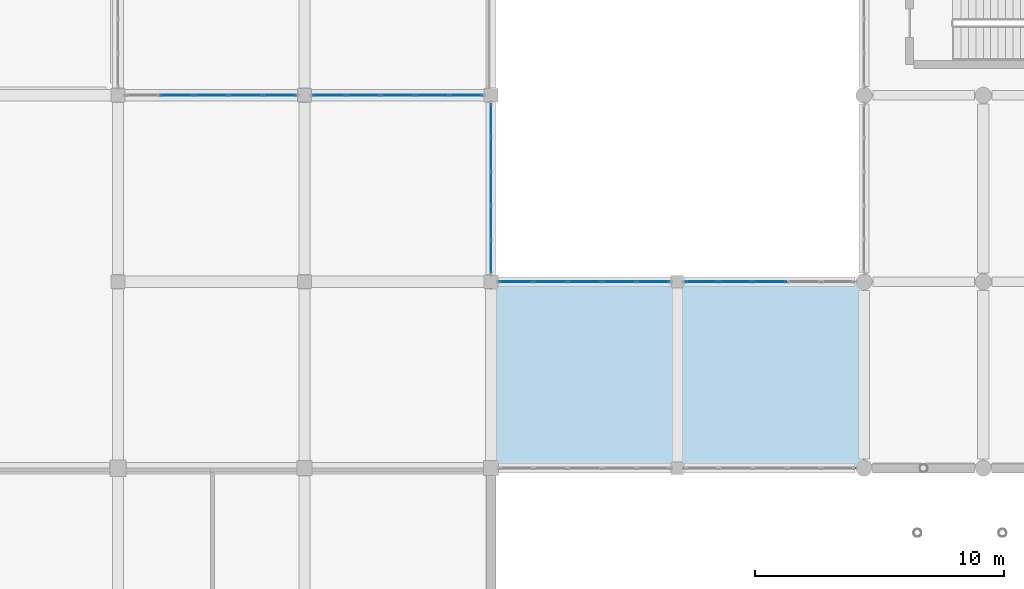
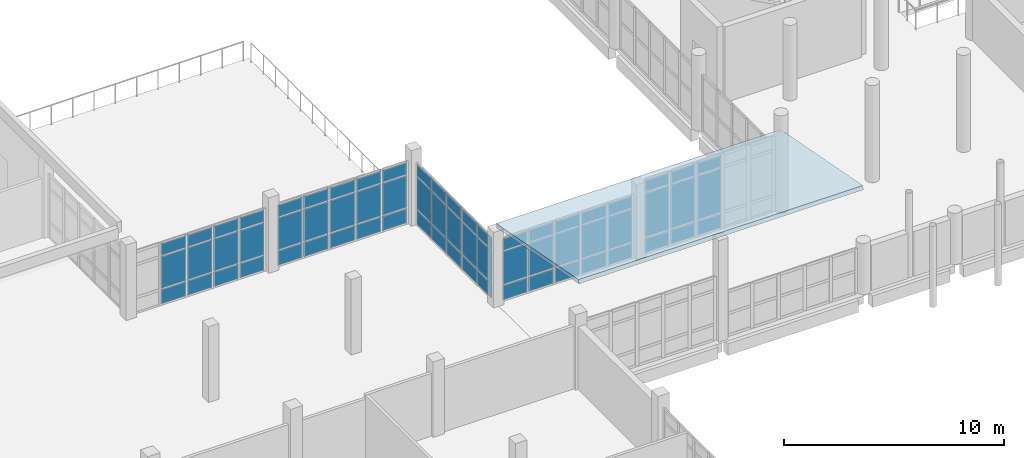
# One storey, part 125 of 164: 66 plates, 1 slab, 5 elements without a shape of their own.
"""IFC4 building model written with IfcOpenShell, lengths in metres."""

from ifc_helpers import new_model, si_unit, direction, frame, origin, origin_2d, place, context, subcontext, project, spatial, polyline, rectangle, outline, extrude, material, layer, layer_set, type_object, element, aggregate, save


model = new_model("IFC4")

# Units and contexts
model_context = context("Model", 3, precision=1e-05, world=origin(), true_north=direction((0.0, 1.0)))
body_context = subcontext(model_context, "Body", "Model", "MODEL_VIEW")
ifc_project = project(units=[si_unit("LENGTHUNIT", "METRE"), si_unit("AREAUNIT", "SQUARE_METRE"), si_unit("VOLUMEUNIT", "CUBIC_METRE"), si_unit("PLANEANGLEUNIT", "RADIAN"), si_unit("MASSUNIT", "GRAM", prefix="KILO")], contexts=[model_context])

# Site, building, storey
site_placement = place(None, origin())
site = spatial("IfcSite", under=ifc_project, at=site_placement, CompositionType="ELEMENT")
building_placement = place(site_placement, origin())
building = spatial("IfcBuilding", under=site, at=building_placement, Name="Mawjan Specialist Oncology Clinic", CompositionType="ELEMENT")
storey_placement = place(building_placement, frame((0.0, 0.0, 5.0)))
storey = spatial("IfcBuildingStorey", under=building, at=storey_placement, Name="L01", CompositionType="ELEMENT", Elevation=5.0)

# Curtain wall, plates
ifc_material_1 = material(Name="Unitised spectrally selective aluminium curtain wall", Category="aluminium")
ifc_layer_1 = layer(ifc_material_1, 0.179931640625, Name="Unitised spectrally selective aluminium curtain wall", Category="aluminium")
ifc_layer_set_1 = layer_set([ifc_layer_1], Name="Unitised spectrally selective aluminium curtain wall")
curtain_wall_type_1 = type_object("IfcCurtainWallType", Name="CW-52", PredefinedType="NOTDEFINED", material=ifc_layer_set_1)
curtain_wall_1_placement = place(storey_placement, origin())
curtain_wall_1 = element("IfcCurtainWall", 1, at=curtain_wall_1_placement, inside=storey, type_object=curtain_wall_type_1, Name="L01 Unitised Curtain Wall CW-L01-097", PredefinedType="NOTDEFINED")
ifc_material_2 = material(Name="Spectrally selective double low-E glazing", Category="glass")
ifc_layer_2 = layer(ifc_material_2, 0.031982421875, Name="Spectrally selective double low-E glazing", Category="glass")
ifc_layer_set_2 = layer_set([ifc_layer_2], Name="Spectrally selective double low-E glazing")
plate_type = type_object("IfcPlateType", Name="CW-P32", PredefinedType="CURTAIN_PANEL", material=ifc_layer_set_2)
plate_1_placement = place(storey_placement, frame((45.0, 59.7978515625, 0.06494140625), z_axis=(0.0, 0.0, 1.0), x_axis=(0.0, -1.0, 0.0)))
plate_1 = element("IfcPlate", 2, at=plate_1_placement, type_object=plate_type, Name="CW-52 panel 1.1", PredefinedType="CURTAIN_PANEL", context=body_context, shape_type="SweptSolid", body=[
    extrude(rectangle(XDim=1.284423828125, YDim=0.031982421875, at=origin_2d()), origin(), (0.0, 0.0, 1.0), 0.802490234375),
])
plate_2_placement = place(storey_placement, frame((45.0, 59.7978515625, 0.932373046875), z_axis=(0.0, 0.0, 1.0), x_axis=(0.0, -1.0, 0.0)))
plate_2 = element("IfcPlate", 3, at=plate_2_placement, type_object=plate_type, Name="CW-52 panel 1.2", PredefinedType="CURTAIN_PANEL", context=body_context, shape_type="SweptSolid", body=[
    extrude(rectangle(XDim=1.284423828125, YDim=0.031982421875, at=origin_2d()), origin(), (0.0, 0.0, 1.0), 1.77001953125),
])
plate_3_placement = place(storey_placement, frame((45.0, 59.7978515625, 2.767578125), z_axis=(0.0, 0.0, 1.0), x_axis=(0.0, -1.0, 0.0)))
plate_3 = element("IfcPlate", 4, at=plate_3_placement, type_object=plate_type, Name="CW-52 panel 1.3", PredefinedType="CURTAIN_PANEL", context=body_context, shape_type="SweptSolid", body=[
    extrude(rectangle(XDim=1.284423828125, YDim=0.031982421875, at=origin_2d()), origin(), (0.0, 0.0, 1.0), 0.652587890625),
])
plate_4_placement = place(storey_placement, frame((45.0, 58.431884765625, 0.06494140625), z_axis=(0.0, 0.0, 1.0), x_axis=(0.0, -1.0, 0.0)))
plate_4 = element("IfcPlate", 5, at=plate_4_placement, type_object=plate_type, Name="CW-52 panel 2.1", PredefinedType="CURTAIN_PANEL", context=body_context, shape_type="SweptSolid", body=[
    extrude(rectangle(XDim=1.31689453125, YDim=0.031982421875, at=origin_2d()), origin(), (0.0, 0.0, 1.0), 0.802490234375),
])
plate_5_placement = place(storey_placement, frame((45.0, 58.431884765625, 0.932373046875), z_axis=(0.0, 0.0, 1.0), x_axis=(0.0, -1.0, 0.0)))
plate_5 = element("IfcPlate", 6, at=plate_5_placement, type_object=plate_type, Name="CW-52 panel 2.2", PredefinedType="CURTAIN_PANEL", context=body_context, shape_type="SweptSolid", body=[
    extrude(rectangle(XDim=1.31689453125, YDim=0.031982421875, at=origin_2d()), origin(), (0.0, 0.0, 1.0), 1.77001953125),
])
plate_6_placement = place(storey_placement, frame((45.0, 58.431884765625, 2.767578125), z_axis=(0.0, 0.0, 1.0), x_axis=(0.0, -1.0, 0.0)))
plate_6 = element("IfcPlate", 7, at=plate_6_placement, type_object=plate_type, Name="CW-52 panel 2.3", PredefinedType="CURTAIN_PANEL", context=body_context, shape_type="SweptSolid", body=[
    extrude(rectangle(XDim=1.31689453125, YDim=0.031982421875, at=origin_2d()), origin(), (0.0, 0.0, 1.0), 0.652587890625),
])
plate_7_placement = place(storey_placement, frame((45.0, 57.050048828125, 0.06494140625), z_axis=(0.0, 0.0, 1.0), x_axis=(0.0, -1.0, 0.0)))
plate_7 = element("IfcPlate", 8, at=plate_7_placement, type_object=plate_type, Name="CW-52 panel 3.1", PredefinedType="CURTAIN_PANEL", context=body_context, shape_type="SweptSolid", body=[
    extrude(rectangle(XDim=1.31689453125, YDim=0.031982421875, at=origin_2d()), origin(), (0.0, 0.0, 1.0), 0.802490234375),
])
plate_8_placement = place(storey_placement, frame((45.0, 57.050048828125, 0.932373046875), z_axis=(0.0, 0.0, 1.0), x_axis=(0.0, -1.0, 0.0)))
plate_8 = element("IfcPlate", 9, at=plate_8_placement, type_object=plate_type, Name="CW-52 panel 3.2", PredefinedType="CURTAIN_PANEL", context=body_context, shape_type="SweptSolid", body=[
    extrude(rectangle(XDim=1.31689453125, YDim=0.031982421875, at=origin_2d()), origin(), (0.0, 0.0, 1.0), 1.77001953125),
])
plate_9_placement = place(storey_placement, frame((45.0, 57.050048828125, 2.767578125), z_axis=(0.0, 0.0, 1.0), x_axis=(0.0, -1.0, 0.0)))
plate_9 = element("IfcPlate", 10, at=plate_9_placement, type_object=plate_type, Name="CW-52 panel 3.3", PredefinedType="CURTAIN_PANEL", context=body_context, shape_type="SweptSolid", body=[
    extrude(rectangle(XDim=1.31689453125, YDim=0.031982421875, at=origin_2d()), origin(), (0.0, 0.0, 1.0), 0.652587890625),
])
plate_10_placement = place(storey_placement, frame((45.0, 55.66796875, 0.06494140625), z_axis=(0.0, 0.0, 1.0), x_axis=(0.0, -1.0, 0.0)))
plate_10 = element("IfcPlate", 11, at=plate_10_placement, type_object=plate_type, Name="CW-52 panel 4.1", PredefinedType="CURTAIN_PANEL", context=body_context, shape_type="SweptSolid", body=[
    extrude(rectangle(XDim=1.31689453125, YDim=0.031982421875, at=origin_2d()), origin(), (0.0, 0.0, 1.0), 0.802490234375),
])
plate_11_placement = place(storey_placement, frame((45.0, 55.66796875, 0.932373046875), z_axis=(0.0, 0.0, 1.0), x_axis=(0.0, -1.0, 0.0)))
plate_11 = element("IfcPlate", 12, at=plate_11_placement, type_object=plate_type, Name="CW-52 panel 4.2", PredefinedType="CURTAIN_PANEL", context=body_context, shape_type="SweptSolid", body=[
    extrude(rectangle(XDim=1.31689453125, YDim=0.031982421875, at=origin_2d()), origin(), (0.0, 0.0, 1.0), 1.77001953125),
])
plate_12_placement = place(storey_placement, frame((45.0, 55.66796875, 2.767578125), z_axis=(0.0, 0.0, 1.0), x_axis=(0.0, -1.0, 0.0)))
plate_12 = element("IfcPlate", 13, at=plate_12_placement, type_object=plate_type, Name="CW-52 panel 4.3", PredefinedType="CURTAIN_PANEL", context=body_context, shape_type="SweptSolid", body=[
    extrude(rectangle(XDim=1.31689453125, YDim=0.031982421875, at=origin_2d()), origin(), (0.0, 0.0, 1.0), 0.652587890625),
])
plate_13_placement = place(storey_placement, frame((45.0, 54.30224609375, 0.06494140625), z_axis=(0.0, 0.0, 1.0), x_axis=(0.0, -1.0, 0.0)))
plate_13 = element("IfcPlate", 14, at=plate_13_placement, type_object=plate_type, Name="CW-52 panel 5.1", PredefinedType="CURTAIN_PANEL", context=body_context, shape_type="SweptSolid", body=[
    extrude(rectangle(XDim=1.284423828125, YDim=0.031982421875, at=origin_2d()), origin(), (0.0, 0.0, 1.0), 0.802490234375),
])
plate_14_placement = place(storey_placement, frame((45.0, 54.30224609375, 0.932373046875), z_axis=(0.0, 0.0, 1.0), x_axis=(0.0, -1.0, 0.0)))
plate_14 = element("IfcPlate", 15, at=plate_14_placement, type_object=plate_type, Name="CW-52 panel 5.2", PredefinedType="CURTAIN_PANEL", context=body_context, shape_type="SweptSolid", body=[
    extrude(rectangle(XDim=1.284423828125, YDim=0.031982421875, at=origin_2d()), origin(), (0.0, 0.0, 1.0), 1.77001953125),
])
plate_15_placement = place(storey_placement, frame((45.0, 54.30224609375, 2.767578125), z_axis=(0.0, 0.0, 1.0), x_axis=(0.0, -1.0, 0.0)))
plate_15 = element("IfcPlate", 16, at=plate_15_placement, type_object=plate_type, Name="CW-52 panel 5.3", PredefinedType="CURTAIN_PANEL", context=body_context, shape_type="SweptSolid", body=[
    extrude(rectangle(XDim=1.284423828125, YDim=0.031982421875, at=origin_2d()), origin(), (0.0, 0.0, 1.0), 0.652587890625),
])
aggregate(curtain_wall_1, [plate_1, plate_2, plate_3, plate_4, plate_5, plate_6, plate_7, plate_8, plate_9, plate_10, plate_11, plate_12, plate_13, plate_14, plate_15])

ifc_material_3 = material(Name="Unitised spectrally selective aluminium curtain wall", Category="aluminium")
ifc_layer_3 = layer(ifc_material_3, 0.179931640625, Name="Unitised spectrally selective aluminium curtain wall", Category="aluminium")
ifc_layer_set_3 = layer_set([ifc_layer_3], Name="Unitised spectrally selective aluminium curtain wall")
curtain_wall_type_2 = type_object("IfcCurtainWallType", Name="CW-53", PredefinedType="NOTDEFINED", material=ifc_layer_set_3)
curtain_wall_2_placement = place(storey_placement, origin())
curtain_wall_2 = element("IfcCurtainWall", 17, at=curtain_wall_2_placement, inside=storey, type_object=curtain_wall_type_2, Name="L01 Unitised Curtain Wall CW-L01-098", PredefinedType="NOTDEFINED")
plate_16_placement = place(storey_placement, frame((46.004638671875, 53.300048828125, 0.06494140625), z_axis=(0.0, 0.0, 1.0), x_axis=(1.0, 0.0, 0.0)))
plate_16 = element("IfcPlate", 18, at=plate_16_placement, type_object=plate_type, Name="CW-53 panel 1.1", PredefinedType="CURTAIN_PANEL", context=body_context, shape_type="SweptSolid", body=[
    extrude(rectangle(XDim=1.28955078125, YDim=0.031982421875, at=origin_2d()), origin(), (0.0, 0.0, 1.0), 0.802490234375),
])
plate_17_placement = place(storey_placement, frame((46.004638671875, 53.300048828125, 0.9326171875), z_axis=(0.0, 0.0, 1.0), x_axis=(1.0, 0.0, 0.0)))
plate_17 = element("IfcPlate", 19, at=plate_17_placement, type_object=plate_type, Name="CW-53 panel 1.2", PredefinedType="CURTAIN_PANEL", context=body_context, shape_type="SweptSolid", body=[
    extrude(rectangle(XDim=1.28955078125, YDim=0.031982421875, at=origin_2d()), origin(), (0.0, 0.0, 1.0), 1.820068359375),
])
plate_18_placement = place(storey_placement, frame((46.004638671875, 53.300048828125, 2.8173828125), z_axis=(0.0, 0.0, 1.0), x_axis=(1.0, 0.0, 0.0)))
plate_18 = element("IfcPlate", 20, at=plate_18_placement, type_object=plate_type, Name="CW-53 panel 1.3", PredefinedType="CURTAIN_PANEL", context=body_context, shape_type="SweptSolid", body=[
    extrude(rectangle(XDim=1.28955078125, YDim=0.031982421875, at=origin_2d()), origin(), (0.0, 0.0, 1.0), 0.652587890625),
])
plate_19_placement = place(storey_placement, frame((47.37548828125, 53.300048828125, 0.06494140625), z_axis=(0.0, 0.0, 1.0), x_axis=(1.0, 0.0, 0.0)))
plate_19 = element("IfcPlate", 21, at=plate_19_placement, type_object=plate_type, Name="CW-53 panel 2.1", PredefinedType="CURTAIN_PANEL", context=body_context, shape_type="SweptSolid", body=[
    extrude(rectangle(XDim=1.322021484375, YDim=0.031982421875, at=origin_2d()), origin(), (0.0, 0.0, 1.0), 0.802490234375),
])
plate_20_placement = place(storey_placement, frame((47.37548828125, 53.300048828125, 0.9326171875), z_axis=(0.0, 0.0, 1.0), x_axis=(1.0, 0.0, 0.0)))
plate_20 = element("IfcPlate", 22, at=plate_20_placement, type_object=plate_type, Name="CW-53 panel 2.2", PredefinedType="CURTAIN_PANEL", context=body_context, shape_type="SweptSolid", body=[
    extrude(rectangle(XDim=1.322021484375, YDim=0.031982421875, at=origin_2d()), origin(), (0.0, 0.0, 1.0), 1.820068359375),
])
plate_21_placement = place(storey_placement, frame((47.37548828125, 53.300048828125, 2.8173828125), z_axis=(0.0, 0.0, 1.0), x_axis=(1.0, 0.0, 0.0)))
plate_21 = element("IfcPlate", 23, at=plate_21_placement, type_object=plate_type, Name="CW-53 panel 2.3", PredefinedType="CURTAIN_PANEL", context=body_context, shape_type="SweptSolid", body=[
    extrude(rectangle(XDim=1.322021484375, YDim=0.031982421875, at=origin_2d()), origin(), (0.0, 0.0, 1.0), 0.652587890625),
])
plate_22_placement = place(storey_placement, frame((48.762451171875, 53.300048828125, 0.06494140625), z_axis=(0.0, 0.0, 1.0), x_axis=(1.0, 0.0, 0.0)))
plate_22 = element("IfcPlate", 24, at=plate_22_placement, type_object=plate_type, Name="CW-53 panel 3.1", PredefinedType="CURTAIN_PANEL", context=body_context, shape_type="SweptSolid", body=[
    extrude(rectangle(XDim=1.322021484375, YDim=0.031982421875, at=origin_2d()), origin(), (0.0, 0.0, 1.0), 0.802490234375),
])
plate_23_placement = place(storey_placement, frame((48.762451171875, 53.300048828125, 0.9326171875), z_axis=(0.0, 0.0, 1.0), x_axis=(1.0, 0.0, 0.0)))
plate_23 = element("IfcPlate", 25, at=plate_23_placement, type_object=plate_type, Name="CW-53 panel 3.2", PredefinedType="CURTAIN_PANEL", context=body_context, shape_type="SweptSolid", body=[
    extrude(rectangle(XDim=1.322021484375, YDim=0.031982421875, at=origin_2d()), origin(), (0.0, 0.0, 1.0), 1.820068359375),
])
plate_24_placement = place(storey_placement, frame((48.762451171875, 53.300048828125, 2.8173828125), z_axis=(0.0, 0.0, 1.0), x_axis=(1.0, 0.0, 0.0)))
plate_24 = element("IfcPlate", 26, at=plate_24_placement, type_object=plate_type, Name="CW-53 panel 3.3", PredefinedType="CURTAIN_PANEL", context=body_context, shape_type="SweptSolid", body=[
    extrude(rectangle(XDim=1.322021484375, YDim=0.031982421875, at=origin_2d()), origin(), (0.0, 0.0, 1.0), 0.652587890625),
])
plate_25_placement = place(storey_placement, frame((50.1494140625, 53.300048828125, 0.06494140625), z_axis=(0.0, 0.0, 1.0), x_axis=(1.0, 0.0, 0.0)))
plate_25 = element("IfcPlate", 27, at=plate_25_placement, type_object=plate_type, Name="CW-53 panel 4.1", PredefinedType="CURTAIN_PANEL", context=body_context, shape_type="SweptSolid", body=[
    extrude(rectangle(XDim=1.322021484375, YDim=0.031982421875, at=origin_2d()), origin(), (0.0, 0.0, 1.0), 0.802490234375),
])
plate_26_placement = place(storey_placement, frame((50.1494140625, 53.300048828125, 0.9326171875), z_axis=(0.0, 0.0, 1.0), x_axis=(1.0, 0.0, 0.0)))
plate_26 = element("IfcPlate", 28, at=plate_26_placement, type_object=plate_type, Name="CW-53 panel 4.2", PredefinedType="CURTAIN_PANEL", context=body_context, shape_type="SweptSolid", body=[
    extrude(rectangle(XDim=1.322021484375, YDim=0.031982421875, at=origin_2d()), origin(), (0.0, 0.0, 1.0), 1.820068359375),
])
plate_27_placement = place(storey_placement, frame((50.1494140625, 53.300048828125, 2.8173828125), z_axis=(0.0, 0.0, 1.0), x_axis=(1.0, 0.0, 0.0)))
plate_27 = element("IfcPlate", 29, at=plate_27_placement, type_object=plate_type, Name="CW-53 panel 4.3", PredefinedType="CURTAIN_PANEL", context=body_context, shape_type="SweptSolid", body=[
    extrude(rectangle(XDim=1.322021484375, YDim=0.031982421875, at=origin_2d()), origin(), (0.0, 0.0, 1.0), 0.652587890625),
])
plate_28_placement = place(storey_placement, frame((51.520263671875, 53.300048828125, 0.06494140625), z_axis=(0.0, 0.0, 1.0), x_axis=(1.0, 0.0, 0.0)))
plate_28 = element("IfcPlate", 30, at=plate_28_placement, type_object=plate_type, Name="CW-53 panel 5.1", PredefinedType="CURTAIN_PANEL", context=body_context, shape_type="SweptSolid", body=[
    extrude(rectangle(XDim=1.28955078125, YDim=0.031982421875, at=origin_2d()), origin(), (0.0, 0.0, 1.0), 0.802490234375),
])
plate_29_placement = place(storey_placement, frame((51.520263671875, 53.300048828125, 0.9326171875), z_axis=(0.0, 0.0, 1.0), x_axis=(1.0, 0.0, 0.0)))
plate_29 = element("IfcPlate", 31, at=plate_29_placement, type_object=plate_type, Name="CW-53 panel 5.2", PredefinedType="CURTAIN_PANEL", context=body_context, shape_type="SweptSolid", body=[
    extrude(rectangle(XDim=1.28955078125, YDim=0.031982421875, at=origin_2d()), origin(), (0.0, 0.0, 1.0), 1.820068359375),
])
plate_30_placement = place(storey_placement, frame((51.520263671875, 53.300048828125, 2.8173828125), z_axis=(0.0, 0.0, 1.0), x_axis=(1.0, 0.0, 0.0)))
plate_30 = element("IfcPlate", 32, at=plate_30_placement, type_object=plate_type, Name="CW-53 panel 5.3", PredefinedType="CURTAIN_PANEL", context=body_context, shape_type="SweptSolid", body=[
    extrude(rectangle(XDim=1.28955078125, YDim=0.031982421875, at=origin_2d()), origin(), (0.0, 0.0, 1.0), 0.652587890625),
])
aggregate(curtain_wall_2, [plate_16, plate_17, plate_18, plate_19, plate_20, plate_21, plate_22, plate_23, plate_24, plate_25, plate_26, plate_27, plate_28, plate_29, plate_30])

ifc_material_4 = material(Name="Unitised spectrally selective aluminium curtain wall", Category="aluminium")
ifc_layer_4 = layer(ifc_material_4, 0.179931640625, Name="Unitised spectrally selective aluminium curtain wall", Category="aluminium")
ifc_layer_set_4 = layer_set([ifc_layer_4], Name="Unitised spectrally selective aluminium curtain wall")
curtain_wall_type_3 = type_object("IfcCurtainWallType", Name="CW-54", PredefinedType="NOTDEFINED", material=ifc_layer_set_4)
curtain_wall_3_placement = place(storey_placement, origin())
curtain_wall_3 = element("IfcCurtainWall", 33, at=curtain_wall_3_placement, inside=storey, type_object=curtain_wall_type_3, Name="L01 Unitised Curtain Wall CW-L01-099", PredefinedType="NOTDEFINED")
plate_31_placement = place(storey_placement, frame((53.47607421875, 53.300048828125, 0.070068359375), z_axis=(0.0, 0.0, 1.0), x_axis=(1.0, 0.0, 0.0)))
plate_31 = element("IfcPlate", 34, at=plate_31_placement, type_object=plate_type, Name="CW-54 panel 1.1", PredefinedType="CURTAIN_PANEL", context=body_context, shape_type="SweptSolid", body=[
    extrude(rectangle(XDim=1.27197265625, YDim=0.031982421875, at=origin_2d()), origin(), (0.0, 0.0, 1.0), 0.794921875),
])
plate_32_placement = place(storey_placement, frame((53.47607421875, 53.300048828125, 0.93505859375), z_axis=(0.0, 0.0, 1.0), x_axis=(1.0, 0.0, 0.0)))
plate_32 = element("IfcPlate", 35, at=plate_32_placement, type_object=plate_type, Name="CW-54 panel 1.2", PredefinedType="CURTAIN_PANEL", context=body_context, shape_type="SweptSolid", body=[
    extrude(rectangle(XDim=1.27197265625, YDim=0.031982421875, at=origin_2d()), origin(), (0.0, 0.0, 1.0), 2.449951171875),
])
plate_33_placement = place(storey_placement, frame((53.47607421875, 53.300048828125, 3.455078125), z_axis=(0.0, 0.0, 1.0), x_axis=(1.0, 0.0, 0.0)))
plate_33 = element("IfcPlate", 36, at=plate_33_placement, type_object=plate_type, Name="CW-54 panel 1.3", PredefinedType="CURTAIN_PANEL", context=body_context, shape_type="SweptSolid", body=[
    extrude(rectangle(XDim=1.27197265625, YDim=0.031982421875, at=origin_2d()), origin(), (0.0, 0.0, 1.0), 0.64501953125),
])
plate_34_placement = place(storey_placement, frame((54.83544921875, 53.300048828125, 0.070068359375), z_axis=(0.0, 0.0, 1.0), x_axis=(1.0, 0.0, 0.0)))
plate_34 = element("IfcPlate", 37, at=plate_34_placement, type_object=plate_type, Name="CW-54 panel 2.1", PredefinedType="CURTAIN_PANEL", context=body_context, shape_type="SweptSolid", body=[
    extrude(rectangle(XDim=1.306884765625, YDim=0.031982421875, at=origin_2d()), origin(), (0.0, 0.0, 1.0), 0.794921875),
])
plate_35_placement = place(storey_placement, frame((54.83544921875, 53.300048828125, 0.93505859375), z_axis=(0.0, 0.0, 1.0), x_axis=(1.0, 0.0, 0.0)))
plate_35 = element("IfcPlate", 38, at=plate_35_placement, type_object=plate_type, Name="CW-54 panel 2.2", PredefinedType="CURTAIN_PANEL", context=body_context, shape_type="SweptSolid", body=[
    extrude(rectangle(XDim=1.306884765625, YDim=0.031982421875, at=origin_2d()), origin(), (0.0, 0.0, 1.0), 2.449951171875),
])
plate_36_placement = place(storey_placement, frame((54.83544921875, 53.300048828125, 3.455078125), z_axis=(0.0, 0.0, 1.0), x_axis=(1.0, 0.0, 0.0)))
plate_36 = element("IfcPlate", 39, at=plate_36_placement, type_object=plate_type, Name="CW-54 panel 2.3", PredefinedType="CURTAIN_PANEL", context=body_context, shape_type="SweptSolid", body=[
    extrude(rectangle(XDim=1.306884765625, YDim=0.031982421875, at=origin_2d()), origin(), (0.0, 0.0, 1.0), 0.64501953125),
])
plate_37_placement = place(storey_placement, frame((56.21240234375, 53.300048828125, 0.070068359375), z_axis=(0.0, 0.0, 1.0), x_axis=(1.0, 0.0, 0.0)))
plate_37 = element("IfcPlate", 40, at=plate_37_placement, type_object=plate_type, Name="CW-54 panel 3.1", PredefinedType="CURTAIN_PANEL", context=body_context, shape_type="SweptSolid", body=[
    extrude(rectangle(XDim=1.306884765625, YDim=0.031982421875, at=origin_2d()), origin(), (0.0, 0.0, 1.0), 0.794921875),
])
plate_38_placement = place(storey_placement, frame((56.21240234375, 53.300048828125, 0.93505859375), z_axis=(0.0, 0.0, 1.0), x_axis=(1.0, 0.0, 0.0)))
plate_38 = element("IfcPlate", 41, at=plate_38_placement, type_object=plate_type, Name="CW-54 panel 3.2", PredefinedType="CURTAIN_PANEL", context=body_context, shape_type="SweptSolid", body=[
    extrude(rectangle(XDim=1.306884765625, YDim=0.031982421875, at=origin_2d()), origin(), (0.0, 0.0, 1.0), 2.449951171875),
])
plate_39_placement = place(storey_placement, frame((56.21240234375, 53.300048828125, 3.455078125), z_axis=(0.0, 0.0, 1.0), x_axis=(1.0, 0.0, 0.0)))
plate_39 = element("IfcPlate", 42, at=plate_39_placement, type_object=plate_type, Name="CW-54 panel 3.3", PredefinedType="CURTAIN_PANEL", context=body_context, shape_type="SweptSolid", body=[
    extrude(rectangle(XDim=1.306884765625, YDim=0.031982421875, at=origin_2d()), origin(), (0.0, 0.0, 1.0), 0.64501953125),
])
aggregate(curtain_wall_3, [plate_31, plate_32, plate_33, plate_34, plate_35, plate_36, plate_37, plate_38, plate_39])

curtain_wall_4_placement = place(storey_placement, origin())
curtain_wall_4 = element("IfcCurtainWall", 43, at=curtain_wall_4_placement, inside=storey, type_object=curtain_wall_type_1, Name="L01 Unitised Curtain Wall CW-L01-157", PredefinedType="NOTDEFINED")
plate_40_placement = place(storey_placement, frame((32.367919921875, 60.800048828125, 0.06494140625), z_axis=(0.0, 0.0, 1.0), x_axis=(1.0, 0.0, 0.0)))
plate_40 = element("IfcPlate", 44, at=plate_40_placement, type_object=plate_type, Name="CW-52 panel 2.1", PredefinedType="CURTAIN_PANEL", context=body_context, shape_type="SweptSolid", body=[
    extrude(rectangle(XDim=1.31689453125, YDim=0.031982421875, at=origin_2d()), origin(), (0.0, 0.0, 1.0), 0.802490234375),
])
plate_41_placement = place(storey_placement, frame((32.367919921875, 60.800048828125, 0.932373046875), z_axis=(0.0, 0.0, 1.0), x_axis=(1.0, 0.0, 0.0)))
plate_41 = element("IfcPlate", 45, at=plate_41_placement, type_object=plate_type, Name="CW-52 panel 2.2", PredefinedType="CURTAIN_PANEL", context=body_context, shape_type="SweptSolid", body=[
    extrude(rectangle(XDim=1.31689453125, YDim=0.031982421875, at=origin_2d()), origin(), (0.0, 0.0, 1.0), 1.77001953125),
])
plate_42_placement = place(storey_placement, frame((32.367919921875, 60.800048828125, 2.767578125), z_axis=(0.0, 0.0, 1.0), x_axis=(1.0, 0.0, 0.0)))
plate_42 = element("IfcPlate", 46, at=plate_42_placement, type_object=plate_type, Name="CW-52 panel 2.3", PredefinedType="CURTAIN_PANEL", context=body_context, shape_type="SweptSolid", body=[
    extrude(rectangle(XDim=1.31689453125, YDim=0.031982421875, at=origin_2d()), origin(), (0.0, 0.0, 1.0), 0.652587890625),
])
plate_43_placement = place(storey_placement, frame((33.75, 60.800048828125, 0.06494140625), z_axis=(0.0, 0.0, 1.0), x_axis=(1.0, 0.0, 0.0)))
plate_43 = element("IfcPlate", 47, at=plate_43_placement, type_object=plate_type, Name="CW-52 panel 3.1", PredefinedType="CURTAIN_PANEL", context=body_context, shape_type="SweptSolid", body=[
    extrude(rectangle(XDim=1.31689453125, YDim=0.031982421875, at=origin_2d()), origin(), (0.0, 0.0, 1.0), 0.802490234375),
])
plate_44_placement = place(storey_placement, frame((33.75, 60.800048828125, 0.932373046875), z_axis=(0.0, 0.0, 1.0), x_axis=(1.0, 0.0, 0.0)))
plate_44 = element("IfcPlate", 48, at=plate_44_placement, type_object=plate_type, Name="CW-52 panel 3.2", PredefinedType="CURTAIN_PANEL", context=body_context, shape_type="SweptSolid", body=[
    extrude(rectangle(XDim=1.31689453125, YDim=0.031982421875, at=origin_2d()), origin(), (0.0, 0.0, 1.0), 1.77001953125),
])
plate_45_placement = place(storey_placement, frame((33.75, 60.800048828125, 2.767578125), z_axis=(0.0, 0.0, 1.0), x_axis=(1.0, 0.0, 0.0)))
plate_45 = element("IfcPlate", 49, at=plate_45_placement, type_object=plate_type, Name="CW-52 panel 3.3", PredefinedType="CURTAIN_PANEL", context=body_context, shape_type="SweptSolid", body=[
    extrude(rectangle(XDim=1.31689453125, YDim=0.031982421875, at=origin_2d()), origin(), (0.0, 0.0, 1.0), 0.652587890625),
])
plate_46_placement = place(storey_placement, frame((35.132080078125, 60.800048828125, 0.06494140625), z_axis=(0.0, 0.0, 1.0), x_axis=(1.0, 0.0, 0.0)))
plate_46 = element("IfcPlate", 50, at=plate_46_placement, type_object=plate_type, Name="CW-52 panel 4.1", PredefinedType="CURTAIN_PANEL", context=body_context, shape_type="SweptSolid", body=[
    extrude(rectangle(XDim=1.31689453125, YDim=0.031982421875, at=origin_2d()), origin(), (0.0, 0.0, 1.0), 0.802490234375),
])
plate_47_placement = place(storey_placement, frame((35.132080078125, 60.800048828125, 0.932373046875), z_axis=(0.0, 0.0, 1.0), x_axis=(1.0, 0.0, 0.0)))
plate_47 = element("IfcPlate", 51, at=plate_47_placement, type_object=plate_type, Name="CW-52 panel 4.2", PredefinedType="CURTAIN_PANEL", context=body_context, shape_type="SweptSolid", body=[
    extrude(rectangle(XDim=1.31689453125, YDim=0.031982421875, at=origin_2d()), origin(), (0.0, 0.0, 1.0), 1.77001953125),
])
plate_48_placement = place(storey_placement, frame((35.132080078125, 60.800048828125, 2.767578125), z_axis=(0.0, 0.0, 1.0), x_axis=(1.0, 0.0, 0.0)))
plate_48 = element("IfcPlate", 52, at=plate_48_placement, type_object=plate_type, Name="CW-52 panel 4.3", PredefinedType="CURTAIN_PANEL", context=body_context, shape_type="SweptSolid", body=[
    extrude(rectangle(XDim=1.31689453125, YDim=0.031982421875, at=origin_2d()), origin(), (0.0, 0.0, 1.0), 0.652587890625),
])
plate_49_placement = place(storey_placement, frame((36.497802734375, 60.800048828125, 0.06494140625), z_axis=(0.0, 0.0, 1.0), x_axis=(1.0, 0.0, 0.0)))
plate_49 = element("IfcPlate", 53, at=plate_49_placement, type_object=plate_type, Name="CW-52 panel 5.1", PredefinedType="CURTAIN_PANEL", context=body_context, shape_type="SweptSolid", body=[
    extrude(rectangle(XDim=1.284423828125, YDim=0.031982421875, at=origin_2d()), origin(), (0.0, 0.0, 1.0), 0.802490234375),
])
plate_50_placement = place(storey_placement, frame((36.497802734375, 60.800048828125, 0.932373046875), z_axis=(0.0, 0.0, 1.0), x_axis=(1.0, 0.0, 0.0)))
plate_50 = element("IfcPlate", 54, at=plate_50_placement, type_object=plate_type, Name="CW-52 panel 5.2", PredefinedType="CURTAIN_PANEL", context=body_context, shape_type="SweptSolid", body=[
    extrude(rectangle(XDim=1.284423828125, YDim=0.031982421875, at=origin_2d()), origin(), (0.0, 0.0, 1.0), 1.77001953125),
])
plate_51_placement = place(storey_placement, frame((36.497802734375, 60.800048828125, 2.767578125), z_axis=(0.0, 0.0, 1.0), x_axis=(1.0, 0.0, 0.0)))
plate_51 = element("IfcPlate", 55, at=plate_51_placement, type_object=plate_type, Name="CW-52 panel 5.3", PredefinedType="CURTAIN_PANEL", context=body_context, shape_type="SweptSolid", body=[
    extrude(rectangle(XDim=1.284423828125, YDim=0.031982421875, at=origin_2d()), origin(), (0.0, 0.0, 1.0), 0.652587890625),
])
aggregate(curtain_wall_4, [plate_40, plate_41, plate_42, plate_43, plate_44, plate_45, plate_46, plate_47, plate_48, plate_49, plate_50, plate_51])

curtain_wall_5_placement = place(storey_placement, origin())
curtain_wall_5 = element("IfcCurtainWall", 56, at=curtain_wall_5_placement, inside=storey, type_object=curtain_wall_type_1, Name="L01 Unitised Curtain Wall CW-L01-158", PredefinedType="NOTDEFINED")
plate_52_placement = place(storey_placement, frame((38.502197265625, 60.800048828125, 0.06494140625), z_axis=(0.0, 0.0, 1.0), x_axis=(1.0, 0.0, 0.0)))
plate_52 = element("IfcPlate", 57, at=plate_52_placement, type_object=plate_type, Name="CW-52 panel 1.1", PredefinedType="CURTAIN_PANEL", context=body_context, shape_type="SweptSolid", body=[
    extrude(rectangle(XDim=1.284423828125, YDim=0.031982421875, at=origin_2d()), origin(), (0.0, 0.0, 1.0), 0.802490234375),
])
plate_53_placement = place(storey_placement, frame((38.502197265625, 60.800048828125, 0.932373046875), z_axis=(0.0, 0.0, 1.0), x_axis=(1.0, 0.0, 0.0)))
plate_53 = element("IfcPlate", 58, at=plate_53_placement, type_object=plate_type, Name="CW-52 panel 1.2", PredefinedType="CURTAIN_PANEL", context=body_context, shape_type="SweptSolid", body=[
    extrude(rectangle(XDim=1.284423828125, YDim=0.031982421875, at=origin_2d()), origin(), (0.0, 0.0, 1.0), 1.77001953125),
])
plate_54_placement = place(storey_placement, frame((38.502197265625, 60.800048828125, 2.767578125), z_axis=(0.0, 0.0, 1.0), x_axis=(1.0, 0.0, 0.0)))
plate_54 = element("IfcPlate", 59, at=plate_54_placement, type_object=plate_type, Name="CW-52 panel 1.3", PredefinedType="CURTAIN_PANEL", context=body_context, shape_type="SweptSolid", body=[
    extrude(rectangle(XDim=1.284423828125, YDim=0.031982421875, at=origin_2d()), origin(), (0.0, 0.0, 1.0), 0.652587890625),
])
plate_55_placement = place(storey_placement, frame((39.867919921875, 60.800048828125, 0.06494140625), z_axis=(0.0, 0.0, 1.0), x_axis=(1.0, 0.0, 0.0)))
plate_55 = element("IfcPlate", 60, at=plate_55_placement, type_object=plate_type, Name="CW-52 panel 2.1", PredefinedType="CURTAIN_PANEL", context=body_context, shape_type="SweptSolid", body=[
    extrude(rectangle(XDim=1.31689453125, YDim=0.031982421875, at=origin_2d()), origin(), (0.0, 0.0, 1.0), 0.802490234375),
])
plate_56_placement = place(storey_placement, frame((39.867919921875, 60.800048828125, 0.932373046875), z_axis=(0.0, 0.0, 1.0), x_axis=(1.0, 0.0, 0.0)))
plate_56 = element("IfcPlate", 61, at=plate_56_placement, type_object=plate_type, Name="CW-52 panel 2.2", PredefinedType="CURTAIN_PANEL", context=body_context, shape_type="SweptSolid", body=[
    extrude(rectangle(XDim=1.31689453125, YDim=0.031982421875, at=origin_2d()), origin(), (0.0, 0.0, 1.0), 1.77001953125),
])
plate_57_placement = place(storey_placement, frame((39.867919921875, 60.800048828125, 2.767578125), z_axis=(0.0, 0.0, 1.0), x_axis=(1.0, 0.0, 0.0)))
plate_57 = element("IfcPlate", 62, at=plate_57_placement, type_object=plate_type, Name="CW-52 panel 2.3", PredefinedType="CURTAIN_PANEL", context=body_context, shape_type="SweptSolid", body=[
    extrude(rectangle(XDim=1.31689453125, YDim=0.031982421875, at=origin_2d()), origin(), (0.0, 0.0, 1.0), 0.652587890625),
])
plate_58_placement = place(storey_placement, frame((41.25, 60.800048828125, 0.06494140625), z_axis=(0.0, 0.0, 1.0), x_axis=(1.0, 0.0, 0.0)))
plate_58 = element("IfcPlate", 63, at=plate_58_placement, type_object=plate_type, Name="CW-52 panel 3.1", PredefinedType="CURTAIN_PANEL", context=body_context, shape_type="SweptSolid", body=[
    extrude(rectangle(XDim=1.31689453125, YDim=0.031982421875, at=origin_2d()), origin(), (0.0, 0.0, 1.0), 0.802490234375),
])
plate_59_placement = place(storey_placement, frame((41.25, 60.800048828125, 0.932373046875), z_axis=(0.0, 0.0, 1.0), x_axis=(1.0, 0.0, 0.0)))
plate_59 = element("IfcPlate", 64, at=plate_59_placement, type_object=plate_type, Name="CW-52 panel 3.2", PredefinedType="CURTAIN_PANEL", context=body_context, shape_type="SweptSolid", body=[
    extrude(rectangle(XDim=1.31689453125, YDim=0.031982421875, at=origin_2d()), origin(), (0.0, 0.0, 1.0), 1.77001953125),
])
plate_60_placement = place(storey_placement, frame((41.25, 60.800048828125, 2.767578125), z_axis=(0.0, 0.0, 1.0), x_axis=(1.0, 0.0, 0.0)))
plate_60 = element("IfcPlate", 65, at=plate_60_placement, type_object=plate_type, Name="CW-52 panel 3.3", PredefinedType="CURTAIN_PANEL", context=body_context, shape_type="SweptSolid", body=[
    extrude(rectangle(XDim=1.31689453125, YDim=0.031982421875, at=origin_2d()), origin(), (0.0, 0.0, 1.0), 0.652587890625),
])
plate_61_placement = place(storey_placement, frame((42.632080078125, 60.800048828125, 0.06494140625), z_axis=(0.0, 0.0, 1.0), x_axis=(1.0, 0.0, 0.0)))
plate_61 = element("IfcPlate", 66, at=plate_61_placement, type_object=plate_type, Name="CW-52 panel 4.1", PredefinedType="CURTAIN_PANEL", context=body_context, shape_type="SweptSolid", body=[
    extrude(rectangle(XDim=1.31689453125, YDim=0.031982421875, at=origin_2d()), origin(), (0.0, 0.0, 1.0), 0.802490234375),
])
plate_62_placement = place(storey_placement, frame((42.632080078125, 60.800048828125, 0.932373046875), z_axis=(0.0, 0.0, 1.0), x_axis=(1.0, 0.0, 0.0)))
plate_62 = element("IfcPlate", 67, at=plate_62_placement, type_object=plate_type, Name="CW-52 panel 4.2", PredefinedType="CURTAIN_PANEL", context=body_context, shape_type="SweptSolid", body=[
    extrude(rectangle(XDim=1.31689453125, YDim=0.031982421875, at=origin_2d()), origin(), (0.0, 0.0, 1.0), 1.77001953125),
])
plate_63_placement = place(storey_placement, frame((42.632080078125, 60.800048828125, 2.767578125), z_axis=(0.0, 0.0, 1.0), x_axis=(1.0, 0.0, 0.0)))
plate_63 = element("IfcPlate", 68, at=plate_63_placement, type_object=plate_type, Name="CW-52 panel 4.3", PredefinedType="CURTAIN_PANEL", context=body_context, shape_type="SweptSolid", body=[
    extrude(rectangle(XDim=1.31689453125, YDim=0.031982421875, at=origin_2d()), origin(), (0.0, 0.0, 1.0), 0.652587890625),
])
plate_64_placement = place(storey_placement, frame((43.997802734375, 60.800048828125, 0.06494140625), z_axis=(0.0, 0.0, 1.0), x_axis=(1.0, 0.0, 0.0)))
plate_64 = element("IfcPlate", 69, at=plate_64_placement, type_object=plate_type, Name="CW-52 panel 5.1", PredefinedType="CURTAIN_PANEL", context=body_context, shape_type="SweptSolid", body=[
    extrude(rectangle(XDim=1.284423828125, YDim=0.031982421875, at=origin_2d()), origin(), (0.0, 0.0, 1.0), 0.802490234375),
])
plate_65_placement = place(storey_placement, frame((43.997802734375, 60.800048828125, 0.932373046875), z_axis=(0.0, 0.0, 1.0), x_axis=(1.0, 0.0, 0.0)))
plate_65 = element("IfcPlate", 70, at=plate_65_placement, type_object=plate_type, Name="CW-52 panel 5.2", PredefinedType="CURTAIN_PANEL", context=body_context, shape_type="SweptSolid", body=[
    extrude(rectangle(XDim=1.284423828125, YDim=0.031982421875, at=origin_2d()), origin(), (0.0, 0.0, 1.0), 1.77001953125),
])
plate_66_placement = place(storey_placement, frame((43.997802734375, 60.800048828125, 2.767578125), z_axis=(0.0, 0.0, 1.0), x_axis=(1.0, 0.0, 0.0)))
plate_66 = element("IfcPlate", 71, at=plate_66_placement, type_object=plate_type, Name="CW-52 panel 5.3", PredefinedType="CURTAIN_PANEL", context=body_context, shape_type="SweptSolid", body=[
    extrude(rectangle(XDim=1.284423828125, YDim=0.031982421875, at=origin_2d()), origin(), (0.0, 0.0, 1.0), 0.652587890625),
])
aggregate(curtain_wall_5, [plate_52, plate_53, plate_54, plate_55, plate_56, plate_57, plate_58, plate_59, plate_60, plate_61, plate_62, plate_63, plate_64, plate_65, plate_66])

# Slab
ifc_material_5 = material(Name="Concrete C35/45", Category="concrete")
ifc_layer_5 = layer(ifc_material_5, 0.219970703125, Name="Concrete C35/45", Category="concrete")
ifc_layer_set_5 = layer_set([ifc_layer_5], Name="Concrete C35/45")
slab_type = type_object("IfcSlabType", Name="RF-SLP220", PredefinedType="ROOF", material=ifc_layer_set_5)
slab_placement = place(storey_placement, frame((45.02001953125, 53.300048828125, 4.429931640625), z_axis=(0.0, 0.187314874547, 0.982299922515), x_axis=(1.0, 0.0, 0.0)))
element("IfcSlab", 72, at=slab_placement, inside=storey, type_object=slab_type, Name="Treatment Hall L01 West Promenade Sloped Roof", PredefinedType="ROOF", context=body_context, shape_type="SweptSolid", body=[
    extrude(outline(polyline([(0.0, 0.0), (14.9599609375, 0.0), (14.9599609375, -7.635142615909283), (0.0, -7.635142615909283), (0.0, 0.0)])), origin(), (0.0, 0.0, -1.0), 0.219970703125),
])

save(model, "model.ifc")
